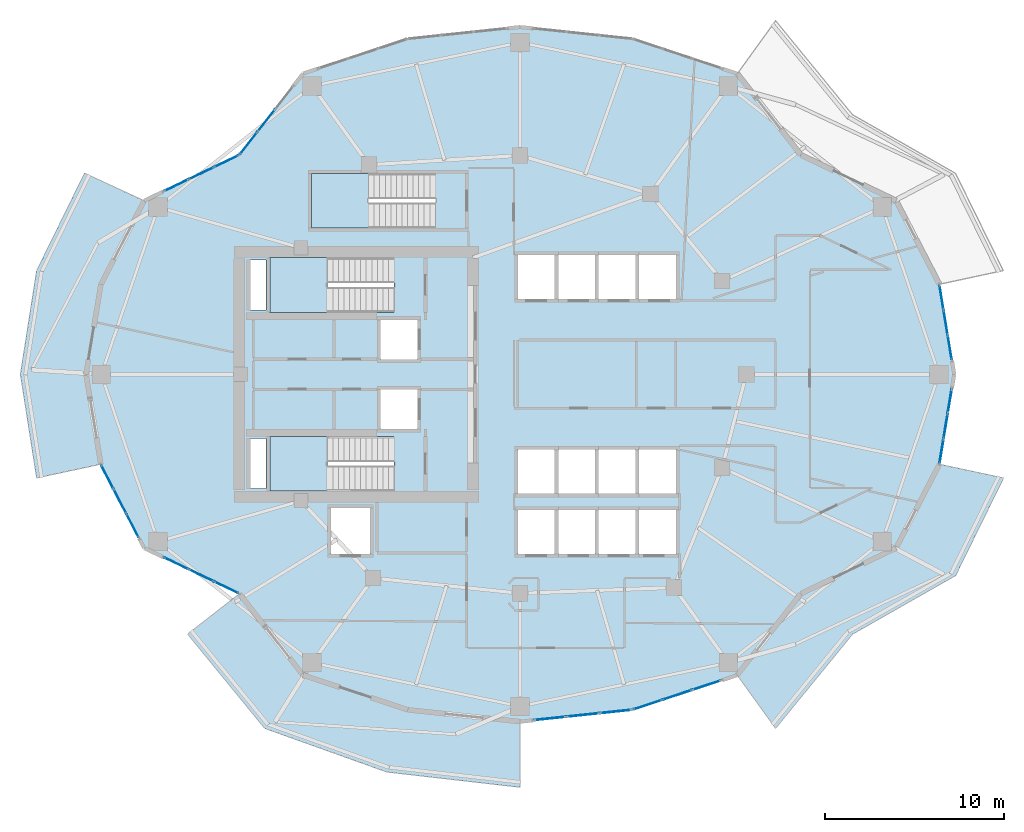
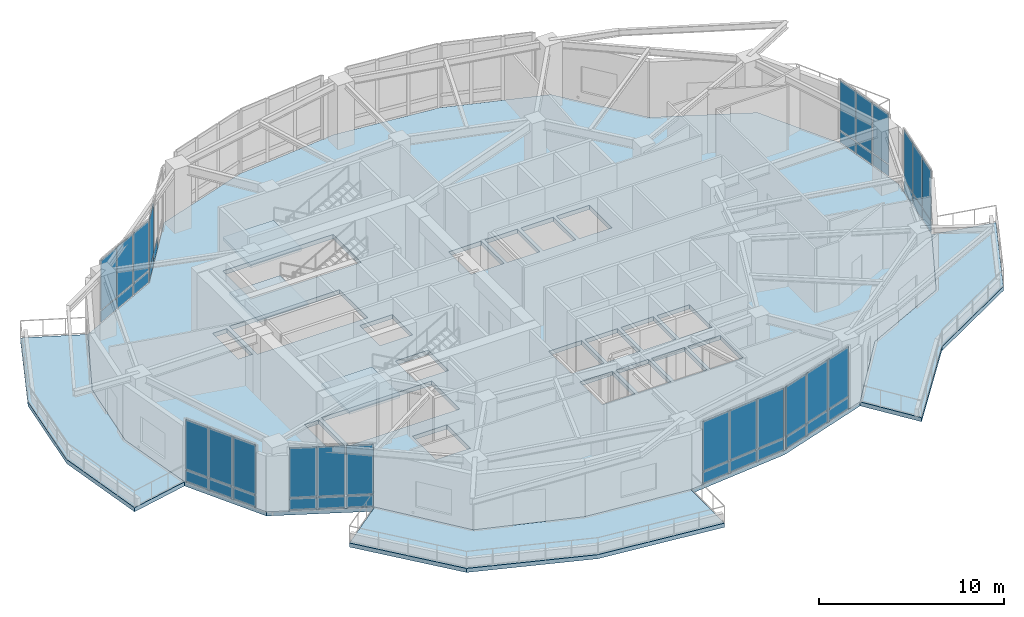
# One storey, part 8 of 16: 45 plates, 7 slabs, 11 elements without a shape of their own.
"""IFC4 building model written with IfcOpenShell, lengths in metres."""

from ifc_helpers import new_model, si_unit, direction, frame, origin, origin_2d, place, context, subcontext, project, spatial, polyline, rectangle, outline, extrude, material, layer, layer_set, type_object, element, aggregate, save


model = new_model("IFC4")

# Units and contexts
model_context = context("Model", 3, precision=1e-05, world=origin(), true_north=direction((0.0, 1.0)))
body_context = subcontext(model_context, "Body", "Model", "MODEL_VIEW")
ifc_project = project(units=[si_unit("LENGTHUNIT", "METRE"), si_unit("AREAUNIT", "SQUARE_METRE"), si_unit("VOLUMEUNIT", "CUBIC_METRE"), si_unit("PLANEANGLEUNIT", "RADIAN"), si_unit("MASSUNIT", "GRAM", prefix="KILO")], contexts=[model_context])

# Site, building, storey
site_placement = place(None, origin())
site = spatial("IfcSite", under=ifc_project, at=site_placement, CompositionType="ELEMENT")
building_placement = place(site_placement, origin())
building = spatial("IfcBuilding", under=site, at=building_placement, Name="Kolvaren Gate Tower and Convention Centre", CompositionType="ELEMENT")
storey_placement = place(building_placement, frame((0.0, 0.0, 100.800048828125)))
storey = spatial("IfcBuildingStorey", under=building, at=storey_placement, Name="L24", CompositionType="ELEMENT", Elevation=100.800048828125)

# Curtain wall, plate
ifc_material_1 = material(Name="Anodized Architectural Aluminium Alloy 6063-T6", Category="aluminium")
ifc_layer_1 = layer(ifc_material_1, 0.199951171875)
ifc_layer_set_1 = layer_set([ifc_layer_1], Name="Anodized Architectural Aluminium Alloy 6063-T6")
curtain_wall_type = type_object("IfcCurtainWallType", Name="CW-SKY-GLZ", PredefinedType="NOTDEFINED", material=ifc_layer_set_1)
curtain_wall_1_placement = place(storey_placement, origin())
curtain_wall_1 = element("IfcCurtainWall", 1, at=curtain_wall_1_placement, inside=storey, type_object=curtain_wall_type, Name="L24 Panoramic Structural Curtain Wall CW-08", PredefinedType="NOTDEFINED")
ifc_material_2 = material(Name="Low-E Triple Insulated Glazing Unit 44 mm", Category="glass")
ifc_layer_2 = layer(ifc_material_2, 0.0439453125)
ifc_layer_set_2 = layer_set([ifc_layer_2], Name="Low-E Triple Insulated Glazing Unit 44 mm")
plate_type_1 = type_object("IfcPlateType", Name="CW-PL-IGU-44", PredefinedType="CURTAIN_PANEL", material=ifc_layer_set_2)
plate_1_placement = place(storey_placement, frame((14.99462890625, 39.878662109375, 0.887451171875), z_axis=(0.0, 0.0, 1.0), x_axis=(0.616441330983, 0.787400841666, 0.0)))
plate_1 = element("IfcPlate", 2, at=plate_1_placement, type_object=plate_type_1, Name="CW-05 panel 1.2", PredefinedType="CURTAIN_PANEL", context=body_context, shape_type="SweptSolid", body=[
    extrude(rectangle(XDim=1.51513671875, YDim=0.0439453125, at=origin_2d()), origin(), (0.0, 0.0, 1.0), 3.267578125),
])

# Curtain wall, plates
curtain_wall_2_placement = place(storey_placement, origin())
curtain_wall_2 = element("IfcCurtainWall", 3, at=curtain_wall_2_placement, inside=storey, type_object=curtain_wall_type, Name="L24 Panoramic Structural Curtain Wall CW-09", PredefinedType="NOTDEFINED")
plate_2_placement = place(storey_placement, frame((10.9658203125, 37.533935546875, 0.887451171875), z_axis=(0.0, 0.0, 1.0), x_axis=(0.901359070966, 0.43307254033, 0.0)))
plate_2 = element("IfcPlate", 4, at=plate_2_placement, type_object=plate_type_1, Name="CW-05 panel 1.2", PredefinedType="CURTAIN_PANEL", context=body_context, shape_type="SweptSolid", body=[
    extrude(rectangle(XDim=1.455078125, YDim=0.0439453125, at=origin_2d()), origin(), (0.0, 0.0, 1.0), 3.267578125),
])
plate_3_placement = place(storey_placement, frame((12.36181640625, 38.20458984375, 0.887451171875), z_axis=(0.0, 0.0, 1.0), x_axis=(0.901359070966, 0.43307254033, 0.0)))
plate_3 = element("IfcPlate", 5, at=plate_3_placement, type_object=plate_type_1, Name="CW-05 panel 2.2", PredefinedType="CURTAIN_PANEL", context=body_context, shape_type="SweptSolid", body=[
    extrude(rectangle(XDim=1.49267578125, YDim=0.0439453125, at=origin_2d()), origin(), (0.0, 0.0, 1.0), 3.267578125),
])
plate_4_placement = place(storey_placement, frame((13.7578125, 38.87548828125, 0.887451171875), z_axis=(0.0, 0.0, 1.0), x_axis=(0.901359070966, 0.43307254033, 0.0)))
plate_4 = element("IfcPlate", 6, at=plate_4_placement, type_object=plate_type_1, Name="CW-05 panel 3.2", PredefinedType="CURTAIN_PANEL", context=body_context, shape_type="SweptSolid", body=[
    extrude(rectangle(XDim=1.455078125, YDim=0.0439453125, at=origin_2d()), origin(), (0.0, 0.0, 1.0), 3.267578125),
])

curtain_wall_3_placement = place(storey_placement, origin())
curtain_wall_3 = element("IfcCurtainWall", 7, at=curtain_wall_3_placement, inside=storey, type_object=curtain_wall_type, Name="L24 Panoramic Structural Curtain Wall CW-13", PredefinedType="NOTDEFINED")
plate_5_placement = place(storey_placement, frame((7.126953125, 21.286376953125, 0.887451171875), z_axis=(0.0, 0.0, 1.0), x_axis=(0.459777699035, -0.888034046346, 0.0)))
plate_5 = element("IfcPlate", 8, at=plate_5_placement, type_object=plate_type_1, Name="CW-05 panel 1.2", PredefinedType="CURTAIN_PANEL", context=body_context, shape_type="SweptSolid", body=[
    extrude(rectangle(XDim=1.438720703125, YDim=0.0439453125, at=origin_2d()), origin(), (0.0, 0.0, 1.0), 3.267578125),
])
plate_6_placement = place(storey_placement, frame((7.83154296875, 19.925537109375, 0.887451171875), z_axis=(0.0, 0.0, 1.0), x_axis=(0.459777699035, -0.888034046346, 0.0)))
plate_6 = element("IfcPlate", 9, at=plate_6_placement, type_object=plate_type_1, Name="CW-05 panel 2.2", PredefinedType="CURTAIN_PANEL", context=body_context, shape_type="SweptSolid", body=[
    extrude(rectangle(XDim=1.476318359375, YDim=0.0439453125, at=origin_2d()), origin(), (0.0, 0.0, 1.0), 3.267578125),
])
plate_7_placement = place(storey_placement, frame((8.5361328125, 18.564453125, 0.887451171875), z_axis=(0.0, 0.0, 1.0), x_axis=(0.459777699035, -0.888034046346, 0.0)))
plate_7 = element("IfcPlate", 10, at=plate_7_placement, type_object=plate_type_1, Name="CW-05 panel 3.2", PredefinedType="CURTAIN_PANEL", context=body_context, shape_type="SweptSolid", body=[
    extrude(rectangle(XDim=1.438720703125, YDim=0.0439453125, at=origin_2d()), origin(), (0.0, 0.0, 1.0), 3.267578125),
])

curtain_wall_4_placement = place(storey_placement, origin())
curtain_wall_4 = element("IfcCurtainWall", 11, at=curtain_wall_4_placement, inside=storey, type_object=curtain_wall_type, Name="L24 Panoramic Structural Curtain Wall CW-14", PredefinedType="NOTDEFINED")
plate_8_placement = place(storey_placement, frame((10.9658203125, 16.466064453125, 0.887451171875), z_axis=(0.0, 0.0, 1.0), x_axis=(0.901359070966, -0.43307254033, 0.0)))
plate_8 = element("IfcPlate", 12, at=plate_8_placement, type_object=plate_type_1, Name="CW-05 panel 1.2", PredefinedType="CURTAIN_PANEL", context=body_context, shape_type="SweptSolid", body=[
    extrude(rectangle(XDim=1.455078125, YDim=0.0439453125, at=origin_2d()), origin(), (0.0, 0.0, 1.0), 3.267578125),
])
plate_9_placement = place(storey_placement, frame((12.36181640625, 15.79541015625, 0.887451171875), z_axis=(0.0, 0.0, 1.0), x_axis=(0.901359070966, -0.43307254033, 0.0)))
plate_9 = element("IfcPlate", 13, at=plate_9_placement, type_object=plate_type_1, Name="CW-05 panel 2.2", PredefinedType="CURTAIN_PANEL", context=body_context, shape_type="SweptSolid", body=[
    extrude(rectangle(XDim=1.49267578125, YDim=0.0439453125, at=origin_2d()), origin(), (0.0, 0.0, 1.0), 3.267578125),
])
plate_10_placement = place(storey_placement, frame((13.7578125, 15.12451171875, 0.887451171875), z_axis=(0.0, 0.0, 1.0), x_axis=(0.901359070966, -0.43307254033, 0.0)))
plate_10 = element("IfcPlate", 14, at=plate_10_placement, type_object=plate_type_1, Name="CW-05 panel 3.2", PredefinedType="CURTAIN_PANEL", context=body_context, shape_type="SweptSolid", body=[
    extrude(rectangle(XDim=1.455078125, YDim=0.0439453125, at=origin_2d()), origin(), (0.0, 0.0, 1.0), 3.267578125),
])

curtain_wall_5_placement = place(storey_placement, origin())
curtain_wall_5 = element("IfcCurtainWall", 15, at=curtain_wall_5_placement, inside=storey, type_object=curtain_wall_type, Name="L24 Panoramic Structural Curtain Wall CW-18", PredefinedType="NOTDEFINED")
plate_11_placement = place(storey_placement, frame((31.791259765625, 7.825439453125, 0.887451171875), z_axis=(0.0, 0.0, 1.0), x_axis=(0.994500824871, 0.104728741662, 0.0)))
plate_11 = element("IfcPlate", 16, at=plate_11_placement, type_object=plate_type_1, Name="CW-05 panel 1.2", PredefinedType="CURTAIN_PANEL", context=body_context, shape_type="SweptSolid", body=[
    extrude(rectangle(XDim=1.74267578125, YDim=0.0439453125, at=origin_2d()), origin(), (0.0, 0.0, 1.0), 3.267578125),
])
plate_12_placement = place(storey_placement, frame((33.61767578125, 8.017822265625, 0.887451171875), z_axis=(0.0, 0.0, 1.0), x_axis=(0.994500824871, 0.104728741662, 0.0)))
plate_12 = element("IfcPlate", 17, at=plate_12_placement, type_object=plate_type_1, Name="CW-05 panel 2.2", PredefinedType="CURTAIN_PANEL", context=body_context, shape_type="SweptSolid", body=[
    extrude(rectangle(XDim=1.7802734375, YDim=0.0439453125, at=origin_2d()), origin(), (0.0, 0.0, 1.0), 3.267578125),
])
plate_13_placement = place(storey_placement, frame((35.444091796875, 8.210205078125, 0.887451171875), z_axis=(0.0, 0.0, 1.0), x_axis=(0.994500824871, 0.104728741662, 0.0)))
plate_13 = element("IfcPlate", 18, at=plate_13_placement, type_object=plate_type_1, Name="CW-05 panel 3.2", PredefinedType="CURTAIN_PANEL", context=body_context, shape_type="SweptSolid", body=[
    extrude(rectangle(XDim=1.74267578125, YDim=0.0439453125, at=origin_2d()), origin(), (0.0, 0.0, 1.0), 3.267578125),
])

curtain_wall_6_placement = place(storey_placement, origin())
curtain_wall_6 = element("IfcCurtainWall", 19, at=curtain_wall_6_placement, inside=storey, type_object=curtain_wall_type, Name="L24 Panoramic Structural Curtain Wall CW-19", PredefinedType="NOTDEFINED")
plate_14_placement = place(storey_placement, frame((37.233642578125, 8.59033203125, 0.887451171875), z_axis=(0.0, 0.0, 1.0), x_axis=(0.949239916922, 0.314552984603, 0.0)))
plate_14 = element("IfcPlate", 20, at=plate_14_placement, type_object=plate_type_1, Name="CW-05 panel 1.2", PredefinedType="CURTAIN_PANEL", context=body_context, shape_type="SweptSolid", body=[
    extrude(rectangle(XDim=1.637451171875, YDim=0.0439453125, at=origin_2d()), origin(), (0.0, 0.0, 1.0), 3.267578125),
])
plate_15_placement = place(storey_placement, frame((38.876953125, 9.135009765625, 0.887451171875), z_axis=(0.0, 0.0, 1.0), x_axis=(0.949239916922, 0.314552984603, 0.0)))
plate_15 = element("IfcPlate", 21, at=plate_15_placement, type_object=plate_type_1, Name="CW-05 panel 2.2", PredefinedType="CURTAIN_PANEL", context=body_context, shape_type="SweptSolid", body=[
    extrude(rectangle(XDim=1.675048828125, YDim=0.0439453125, at=origin_2d()), origin(), (0.0, 0.0, 1.0), 3.267578125),
])
plate_16_placement = place(storey_placement, frame((40.520263671875, 9.6796875, 0.887451171875), z_axis=(0.0, 0.0, 1.0), x_axis=(0.949239916922, 0.314552984603, 0.0)))
plate_16 = element("IfcPlate", 22, at=plate_16_placement, type_object=plate_type_1, Name="CW-05 panel 3.2", PredefinedType="CURTAIN_PANEL", context=body_context, shape_type="SweptSolid", body=[
    extrude(rectangle(XDim=1.637451171875, YDim=0.0439453125, at=origin_2d()), origin(), (0.0, 0.0, 1.0), 3.267578125),
])

curtain_wall_7_placement = place(storey_placement, origin())
curtain_wall_7 = element("IfcCurtainWall", 23, at=curtain_wall_7_placement, inside=storey, type_object=curtain_wall_type, Name="L24 Panoramic Structural Curtain Wall CW-23", PredefinedType="NOTDEFINED")
plate_17_placement = place(storey_placement, frame((53.607666015625, 22.717041015625, 0.887451171875), z_axis=(0.0, 0.0, 1.0), x_axis=(0.162390977876, 0.986726492147, 0.0)))
plate_17 = element("IfcPlate", 24, at=plate_17_placement, type_object=plate_type_1, Name="CW-05 panel 1.2", PredefinedType="CURTAIN_PANEL", context=body_context, shape_type="SweptSolid", body=[
    extrude(rectangle(XDim=1.31982421875, YDim=0.0439453125, at=origin_2d()), origin(), (0.0, 0.0, 1.0), 3.267578125),
])
plate_18_placement = place(storey_placement, frame((53.837158203125, 24.11181640625, 0.887451171875), z_axis=(0.0, 0.0, 1.0), x_axis=(0.162390977876, 0.986726492147, 0.0)))
plate_18 = element("IfcPlate", 25, at=plate_18_placement, type_object=plate_type_1, Name="CW-05 panel 2.2", PredefinedType="CURTAIN_PANEL", context=body_context, shape_type="SweptSolid", body=[
    extrude(rectangle(XDim=1.357421875, YDim=0.0439453125, at=origin_2d()), origin(), (0.0, 0.0, 1.0), 3.267578125),
])
plate_19_placement = place(storey_placement, frame((54.066650390625, 25.5068359375, 0.887451171875), z_axis=(0.0, 0.0, 1.0), x_axis=(0.162390977876, 0.986726492147, 0.0)))
plate_19 = element("IfcPlate", 26, at=plate_19_placement, type_object=plate_type_1, Name="CW-05 panel 3.2", PredefinedType="CURTAIN_PANEL", context=body_context, shape_type="SweptSolid", body=[
    extrude(rectangle(XDim=1.31982421875, YDim=0.0439453125, at=origin_2d()), origin(), (0.0, 0.0, 1.0), 3.267578125),
])

curtain_wall_8_placement = place(storey_placement, origin())
curtain_wall_8 = element("IfcCurtainWall", 27, at=curtain_wall_8_placement, inside=storey, type_object=curtain_wall_type, Name="L24 Panoramic Structural Curtain Wall CW-00", PredefinedType="NOTDEFINED")
ifc_material_3 = material(Name="Solar-Control Laminated Curtain Glazing 36 mm", Category="glass")
ifc_layer_3 = layer(ifc_material_3, 0.035888671875)
ifc_layer_set_3 = layer_set([ifc_layer_3], Name="Solar-Control Laminated Curtain Glazing 36 mm")
plate_type_2 = type_object("IfcPlateType", Name="CW-PL-SPAN-36", PredefinedType="CURTAIN_PANEL", material=ifc_layer_set_3)
plate_20_placement = place(storey_placement, frame((53.607666015625, 31.282958984375, 0.07470703125), z_axis=(0.0, 0.0, 1.0), x_axis=(0.162390977876, -0.986726492147, 0.0)))
plate_20 = element("IfcPlate", 28, at=plate_20_placement, type_object=plate_type_2, Name="CW-05 panel 1.1", PredefinedType="CURTAIN_PANEL", context=body_context, shape_type="SweptSolid", body=[
    extrude(rectangle(XDim=1.31982421875, YDim=0.035888671875, at=origin_2d()), origin(), (0.0, 0.0, 1.0), 0.737548828125),
])
plate_21_placement = place(storey_placement, frame((53.607666015625, 31.282958984375, 0.887451171875), z_axis=(0.0, 0.0, 1.0), x_axis=(0.162390977876, -0.986726492147, 0.0)))
plate_21 = element("IfcPlate", 29, at=plate_21_placement, type_object=plate_type_2, Name="CW-05 panel 1.2", PredefinedType="CURTAIN_PANEL", context=body_context, shape_type="SweptSolid", body=[
    extrude(rectangle(XDim=1.31982421875, YDim=0.035888671875, at=origin_2d()), origin(), (0.0, 0.0, 1.0), 3.267578125),
])
plate_22_placement = place(storey_placement, frame((53.837158203125, 29.88818359375, 0.07470703125), z_axis=(0.0, 0.0, 1.0), x_axis=(0.162390977876, -0.986726492147, 0.0)))
plate_22 = element("IfcPlate", 30, at=plate_22_placement, type_object=plate_type_2, Name="CW-05 panel 2.1", PredefinedType="CURTAIN_PANEL", context=body_context, shape_type="SweptSolid", body=[
    extrude(rectangle(XDim=1.357421875, YDim=0.035888671875, at=origin_2d()), origin(), (0.0, 0.0, 1.0), 0.737548828125),
])
plate_23_placement = place(storey_placement, frame((53.837158203125, 29.88818359375, 0.887451171875), z_axis=(0.0, 0.0, 1.0), x_axis=(0.162390977876, -0.986726492147, 0.0)))
plate_23 = element("IfcPlate", 31, at=plate_23_placement, type_object=plate_type_2, Name="CW-05 panel 2.2", PredefinedType="CURTAIN_PANEL", context=body_context, shape_type="SweptSolid", body=[
    extrude(rectangle(XDim=1.357421875, YDim=0.035888671875, at=origin_2d()), origin(), (0.0, 0.0, 1.0), 3.267578125),
])
plate_24_placement = place(storey_placement, frame((54.066650390625, 28.4931640625, 0.07470703125), z_axis=(0.0, 0.0, 1.0), x_axis=(0.162390977876, -0.986726492147, 0.0)))
plate_24 = element("IfcPlate", 32, at=plate_24_placement, type_object=plate_type_2, Name="CW-05 panel 3.1", PredefinedType="CURTAIN_PANEL", context=body_context, shape_type="SweptSolid", body=[
    extrude(rectangle(XDim=1.31982421875, YDim=0.035888671875, at=origin_2d()), origin(), (0.0, 0.0, 1.0), 0.737548828125),
])
plate_25_placement = place(storey_placement, frame((54.066650390625, 28.4931640625, 0.887451171875), z_axis=(0.0, 0.0, 1.0), x_axis=(0.162390977876, -0.986726492147, 0.0)))
plate_25 = element("IfcPlate", 33, at=plate_25_placement, type_object=plate_type_2, Name="CW-05 panel 3.2", PredefinedType="CURTAIN_PANEL", context=body_context, shape_type="SweptSolid", body=[
    extrude(rectangle(XDim=1.31982421875, YDim=0.035888671875, at=origin_2d()), origin(), (0.0, 0.0, 1.0), 3.267578125),
])
aggregate(curtain_wall_8, [plate_20, plate_21, plate_22, plate_23, plate_24, plate_25])

# Plate
plate_26_placement = place(storey_placement, frame((14.99462890625, 39.878662109375, 0.07470703125), z_axis=(0.0, 0.0, 1.0), x_axis=(0.616441330983, 0.787400841666, 0.0)))
plate_26 = element("IfcPlate", 34, at=plate_26_placement, type_object=plate_type_2, Name="CW-05 panel 1.1", PredefinedType="CURTAIN_PANEL", context=body_context, shape_type="SweptSolid", body=[
    extrude(rectangle(XDim=1.51513671875, YDim=0.035888671875, at=origin_2d()), origin(), (0.0, 0.0, 1.0), 0.737548828125),
])

plate_27_placement = place(storey_placement, frame((15.986328125, 41.1455078125, 0.07470703125), z_axis=(0.0, 0.0, 1.0), x_axis=(0.616441330983, 0.787400841666, 0.0)))
plate_27 = element("IfcPlate", 35, at=plate_27_placement, type_object=plate_type_2, Name="CW-05 panel 2.1", PredefinedType="CURTAIN_PANEL", context=body_context, shape_type="SweptSolid", body=[
    extrude(rectangle(XDim=1.552734375, YDim=0.035888671875, at=origin_2d()), origin(), (0.0, 0.0, 1.0), 0.737548828125),
])

aggregate(curtain_wall_1, [plate_26, plate_1, plate_27])

plate_28_placement = place(storey_placement, frame((10.9658203125, 37.533935546875, 0.07470703125), z_axis=(0.0, 0.0, 1.0), x_axis=(0.901359070966, 0.43307254033, 0.0)))
plate_28 = element("IfcPlate", 36, at=plate_28_placement, type_object=plate_type_2, Name="CW-05 panel 1.1", PredefinedType="CURTAIN_PANEL", context=body_context, shape_type="SweptSolid", body=[
    extrude(rectangle(XDim=1.455078125, YDim=0.035888671875, at=origin_2d()), origin(), (0.0, 0.0, 1.0), 0.737548828125),
])

plate_29_placement = place(storey_placement, frame((12.36181640625, 38.20458984375, 0.07470703125), z_axis=(0.0, 0.0, 1.0), x_axis=(0.901359070966, 0.43307254033, 0.0)))
plate_29 = element("IfcPlate", 37, at=plate_29_placement, type_object=plate_type_2, Name="CW-05 panel 2.1", PredefinedType="CURTAIN_PANEL", context=body_context, shape_type="SweptSolid", body=[
    extrude(rectangle(XDim=1.49267578125, YDim=0.035888671875, at=origin_2d()), origin(), (0.0, 0.0, 1.0), 0.737548828125),
])

plate_30_placement = place(storey_placement, frame((13.7578125, 38.87548828125, 0.07470703125), z_axis=(0.0, 0.0, 1.0), x_axis=(0.901359070966, 0.43307254033, 0.0)))
plate_30 = element("IfcPlate", 38, at=plate_30_placement, type_object=plate_type_2, Name="CW-05 panel 3.1", PredefinedType="CURTAIN_PANEL", context=body_context, shape_type="SweptSolid", body=[
    extrude(rectangle(XDim=1.455078125, YDim=0.035888671875, at=origin_2d()), origin(), (0.0, 0.0, 1.0), 0.737548828125),
])

aggregate(curtain_wall_2, [plate_28, plate_2, plate_29, plate_3, plate_30, plate_4])

plate_31_placement = place(storey_placement, frame((7.126953125, 21.286376953125, 0.07470703125), z_axis=(0.0, 0.0, 1.0), x_axis=(0.459777699035, -0.888034046346, 0.0)))
plate_31 = element("IfcPlate", 39, at=plate_31_placement, type_object=plate_type_2, Name="CW-05 panel 1.1", PredefinedType="CURTAIN_PANEL", context=body_context, shape_type="SweptSolid", body=[
    extrude(rectangle(XDim=1.438720703125, YDim=0.035888671875, at=origin_2d()), origin(), (0.0, 0.0, 1.0), 0.737548828125),
])

plate_32_placement = place(storey_placement, frame((7.83154296875, 19.925537109375, 0.07470703125), z_axis=(0.0, 0.0, 1.0), x_axis=(0.459777699035, -0.888034046346, 0.0)))
plate_32 = element("IfcPlate", 40, at=plate_32_placement, type_object=plate_type_2, Name="CW-05 panel 2.1", PredefinedType="CURTAIN_PANEL", context=body_context, shape_type="SweptSolid", body=[
    extrude(rectangle(XDim=1.476318359375, YDim=0.035888671875, at=origin_2d()), origin(), (0.0, 0.0, 1.0), 0.737548828125),
])

plate_33_placement = place(storey_placement, frame((8.5361328125, 18.564453125, 0.07470703125), z_axis=(0.0, 0.0, 1.0), x_axis=(0.459777699035, -0.888034046346, 0.0)))
plate_33 = element("IfcPlate", 41, at=plate_33_placement, type_object=plate_type_2, Name="CW-05 panel 3.1", PredefinedType="CURTAIN_PANEL", context=body_context, shape_type="SweptSolid", body=[
    extrude(rectangle(XDim=1.438720703125, YDim=0.035888671875, at=origin_2d()), origin(), (0.0, 0.0, 1.0), 0.737548828125),
])

aggregate(curtain_wall_3, [plate_31, plate_5, plate_32, plate_6, plate_33, plate_7])

plate_34_placement = place(storey_placement, frame((10.9658203125, 16.466064453125, 0.07470703125), z_axis=(0.0, 0.0, 1.0), x_axis=(0.901359070966, -0.43307254033, 0.0)))
plate_34 = element("IfcPlate", 42, at=plate_34_placement, type_object=plate_type_2, Name="CW-05 panel 1.1", PredefinedType="CURTAIN_PANEL", context=body_context, shape_type="SweptSolid", body=[
    extrude(rectangle(XDim=1.455078125, YDim=0.035888671875, at=origin_2d()), origin(), (0.0, 0.0, 1.0), 0.737548828125),
])

plate_35_placement = place(storey_placement, frame((12.36181640625, 15.79541015625, 0.07470703125), z_axis=(0.0, 0.0, 1.0), x_axis=(0.901359070966, -0.43307254033, 0.0)))
plate_35 = element("IfcPlate", 43, at=plate_35_placement, type_object=plate_type_2, Name="CW-05 panel 2.1", PredefinedType="CURTAIN_PANEL", context=body_context, shape_type="SweptSolid", body=[
    extrude(rectangle(XDim=1.49267578125, YDim=0.035888671875, at=origin_2d()), origin(), (0.0, 0.0, 1.0), 0.737548828125),
])

plate_36_placement = place(storey_placement, frame((13.7578125, 15.12451171875, 0.07470703125), z_axis=(0.0, 0.0, 1.0), x_axis=(0.901359070966, -0.43307254033, 0.0)))
plate_36 = element("IfcPlate", 44, at=plate_36_placement, type_object=plate_type_2, Name="CW-05 panel 3.1", PredefinedType="CURTAIN_PANEL", context=body_context, shape_type="SweptSolid", body=[
    extrude(rectangle(XDim=1.455078125, YDim=0.035888671875, at=origin_2d()), origin(), (0.0, 0.0, 1.0), 0.737548828125),
])

aggregate(curtain_wall_4, [plate_34, plate_8, plate_35, plate_9, plate_36, plate_10])

plate_37_placement = place(storey_placement, frame((31.791259765625, 7.825439453125, 0.07470703125), z_axis=(0.0, 0.0, 1.0), x_axis=(0.994500824871, 0.104728741662, 0.0)))
plate_37 = element("IfcPlate", 45, at=plate_37_placement, type_object=plate_type_2, Name="CW-05 panel 1.1", PredefinedType="CURTAIN_PANEL", context=body_context, shape_type="SweptSolid", body=[
    extrude(rectangle(XDim=1.74267578125, YDim=0.035888671875, at=origin_2d()), origin(), (0.0, 0.0, 1.0), 0.737548828125),
])

plate_38_placement = place(storey_placement, frame((33.61767578125, 8.017822265625, 0.07470703125), z_axis=(0.0, 0.0, 1.0), x_axis=(0.994500824871, 0.104728741662, 0.0)))
plate_38 = element("IfcPlate", 46, at=plate_38_placement, type_object=plate_type_2, Name="CW-05 panel 2.1", PredefinedType="CURTAIN_PANEL", context=body_context, shape_type="SweptSolid", body=[
    extrude(rectangle(XDim=1.7802734375, YDim=0.035888671875, at=origin_2d()), origin(), (0.0, 0.0, 1.0), 0.737548828125),
])

plate_39_placement = place(storey_placement, frame((35.444091796875, 8.210205078125, 0.07470703125), z_axis=(0.0, 0.0, 1.0), x_axis=(0.994500824871, 0.104728741662, 0.0)))
plate_39 = element("IfcPlate", 47, at=plate_39_placement, type_object=plate_type_2, Name="CW-05 panel 3.1", PredefinedType="CURTAIN_PANEL", context=body_context, shape_type="SweptSolid", body=[
    extrude(rectangle(XDim=1.74267578125, YDim=0.035888671875, at=origin_2d()), origin(), (0.0, 0.0, 1.0), 0.737548828125),
])

aggregate(curtain_wall_5, [plate_37, plate_11, plate_38, plate_12, plate_39, plate_13])

plate_40_placement = place(storey_placement, frame((37.233642578125, 8.59033203125, 0.07470703125), z_axis=(0.0, 0.0, 1.0), x_axis=(0.949239916922, 0.314552984603, 0.0)))
plate_40 = element("IfcPlate", 48, at=plate_40_placement, type_object=plate_type_2, Name="CW-05 panel 1.1", PredefinedType="CURTAIN_PANEL", context=body_context, shape_type="SweptSolid", body=[
    extrude(rectangle(XDim=1.637451171875, YDim=0.035888671875, at=origin_2d()), origin(), (0.0, 0.0, 1.0), 0.737548828125),
])

plate_41_placement = place(storey_placement, frame((38.876953125, 9.135009765625, 0.07470703125), z_axis=(0.0, 0.0, 1.0), x_axis=(0.949239916922, 0.314552984603, 0.0)))
plate_41 = element("IfcPlate", 49, at=plate_41_placement, type_object=plate_type_2, Name="CW-05 panel 2.1", PredefinedType="CURTAIN_PANEL", context=body_context, shape_type="SweptSolid", body=[
    extrude(rectangle(XDim=1.675048828125, YDim=0.035888671875, at=origin_2d()), origin(), (0.0, 0.0, 1.0), 0.737548828125),
])

plate_42_placement = place(storey_placement, frame((40.520263671875, 9.6796875, 0.07470703125), z_axis=(0.0, 0.0, 1.0), x_axis=(0.949239916922, 0.314552984603, 0.0)))
plate_42 = element("IfcPlate", 50, at=plate_42_placement, type_object=plate_type_2, Name="CW-05 panel 3.1", PredefinedType="CURTAIN_PANEL", context=body_context, shape_type="SweptSolid", body=[
    extrude(rectangle(XDim=1.637451171875, YDim=0.035888671875, at=origin_2d()), origin(), (0.0, 0.0, 1.0), 0.737548828125),
])

aggregate(curtain_wall_6, [plate_40, plate_14, plate_41, plate_15, plate_42, plate_16])

plate_43_placement = place(storey_placement, frame((53.607666015625, 22.717041015625, 0.07470703125), z_axis=(0.0, 0.0, 1.0), x_axis=(0.162390977876, 0.986726492147, 0.0)))
plate_43 = element("IfcPlate", 51, at=plate_43_placement, type_object=plate_type_2, Name="CW-05 panel 1.1", PredefinedType="CURTAIN_PANEL", context=body_context, shape_type="SweptSolid", body=[
    extrude(rectangle(XDim=1.31982421875, YDim=0.035888671875, at=origin_2d()), origin(), (0.0, 0.0, 1.0), 0.737548828125),
])

plate_44_placement = place(storey_placement, frame((53.837158203125, 24.11181640625, 0.07470703125), z_axis=(0.0, 0.0, 1.0), x_axis=(0.162390977876, 0.986726492147, 0.0)))
plate_44 = element("IfcPlate", 52, at=plate_44_placement, type_object=plate_type_2, Name="CW-05 panel 2.1", PredefinedType="CURTAIN_PANEL", context=body_context, shape_type="SweptSolid", body=[
    extrude(rectangle(XDim=1.357421875, YDim=0.035888671875, at=origin_2d()), origin(), (0.0, 0.0, 1.0), 0.737548828125),
])

plate_45_placement = place(storey_placement, frame((54.066650390625, 25.5068359375, 0.07470703125), z_axis=(0.0, 0.0, 1.0), x_axis=(0.162390977876, 0.986726492147, 0.0)))
plate_45 = element("IfcPlate", 53, at=plate_45_placement, type_object=plate_type_2, Name="CW-05 panel 3.1", PredefinedType="CURTAIN_PANEL", context=body_context, shape_type="SweptSolid", body=[
    extrude(rectangle(XDim=1.31982421875, YDim=0.035888671875, at=origin_2d()), origin(), (0.0, 0.0, 1.0), 0.737548828125),
])

aggregate(curtain_wall_7, [plate_43, plate_17, plate_44, plate_18, plate_45, plate_19])

# Slabs
ifc_material_4 = material(Name="Concrete C50/60", Category="concrete")
ifc_layer_4 = layer(ifc_material_4, 0.27001953125)
ifc_layer_set_4 = layer_set([ifc_layer_4], Name="Concrete C50/60")
slab_type_1 = type_object("IfcSlabType", Name="STR-SL-BALC-270", PredefinedType="FLOOR", material=ifc_layer_set_4)
slab_1_placement = place(storey_placement, frame((0.0, 0.0, -0.27001953125)))
element("IfcSlab", 54, at=slab_1_placement, inside=storey, type_object=slab_type_1, Name="Tower L24 Planted Balcony Terrace Slab 2 (West)", PredefinedType="FLOOR", context=body_context, shape_type="SweptSolid", body=[
    extrude(outline(polyline([(9.177978515625, 36.675048828125), (6.76171875, 32.008056640625), (5.9375, 27.0), (6.76171875, 21.991943359375), (3.18310546875, 21.224853515625), (2.277587890625, 27.0), (3.18310546875, 32.775146484375), (5.855224609375, 38.209716796875), (9.177978515625, 36.675048828125)])), origin(), (0.0, 0.0, 1.0), 0.27001953125),
])
slab_2_placement = place(storey_placement, frame((0.0, 0.0, -0.27001953125)))
element("IfcSlab", 55, at=slab_2_placement, inside=storey, type_object=slab_type_1, Name="Tower L24 Planted Balcony Terrace Slab 3 (South)", PredefinedType="FLOOR", context=body_context, shape_type="SweptSolid", body=[
    extrude(outline(polyline([(14.481201171875, 14.777099609375), (18.03125, 10.242431640625), (23.86474609375, 8.309326171875), (30.125, 7.64990234375), (30.125, 3.989990234375), (22.702392578125, 4.8388671875), (15.889404296875, 7.274658203125), (11.597412109375, 12.523681640625), (14.481201171875, 14.777099609375)])), origin(), (0.0, 0.0, 1.0), 0.27001953125),
])
slab_3_placement = place(storey_placement, frame((0.0, 0.0, -0.27001953125)))
element("IfcSlab", 56, at=slab_3_placement, inside=storey, type_object=slab_type_1, Name="Tower L24 Planted Balcony Terrace Slab 4 (East)", PredefinedType="FLOOR", context=body_context, shape_type="SweptSolid", body=[
    extrude(outline(polyline([(42.21875, 10.242431640625), (45.768798828125, 14.777099609375), (51.072021484375, 17.324951171875), (53.48828125, 21.991943359375), (57.06689453125, 21.224853515625), (54.394775390625, 15.790283203125), (48.652587890625, 12.523681640625), (44.360595703125, 7.274658203125), (42.21875, 10.242431640625)])), origin(), (0.0, 0.0, 1.0), 0.27001953125),
])
ifc_layer_5 = layer(ifc_material_4, 0.280029296875)
ifc_layer_set_5 = layer_set([ifc_layer_5], Name="Concrete C50/60")
slab_type_2 = type_object("IfcSlabType", Name="STR-SL-FLR-280", PredefinedType="FLOOR", material=ifc_layer_set_5)
slab_4_placement = place(storey_placement, frame((0.0, 0.0, -0.280029296875)))
element("IfcSlab", 57, at=slab_4_placement, inside=storey, type_object=slab_type_2, Name="Tower L24 Structural Floor Slab", PredefinedType="FLOOR", context=body_context, shape_type="SweptSolid", body=[
    extrude(outline(polyline([(54.3125, 27.0), (53.48828125, 32.008056640625), (51.072021484375, 36.675048828125), (45.768798828125, 39.222900390625), (42.21875, 43.757568359375), (36.38525390625, 45.690673828125), (30.125, 46.35009765625), (23.86474609375, 45.690673828125), (18.03125, 43.757568359375), (14.481201171875, 39.222900390625), (9.177978515625, 36.675048828125), (6.76171875, 32.008056640625), (5.9375, 27.0), (6.76171875, 21.991943359375), (9.177978515625, 17.324951171875), (14.481201171875, 14.777099609375), (18.03125, 10.242431640625), (23.86474609375, 8.309326171875), (30.125, 7.64990234375), (36.38525390625, 8.309326171875), (42.21875, 10.242431640625), (45.768798828125, 14.777099609375), (51.072021484375, 17.324951171875), (53.48828125, 21.991943359375), (54.3125, 27.0)]), holes=[polyline([(36.75, 33.64990234375), (38.800048828125, 33.64990234375), (38.800048828125, 31.199951171875), (36.75, 31.199951171875), (36.75, 33.64990234375)]), polyline([(36.75, 20.35009765625), (36.75, 22.800048828125), (38.800048828125, 22.800048828125), (38.800048828125, 20.35009765625), (36.75, 20.35009765625)]), polyline([(36.75, 17.0), (36.75, 19.449951171875), (38.800048828125, 19.449951171875), (38.800048828125, 17.0), (36.75, 17.0)]), polyline([(34.5, 33.64990234375), (36.550048828125, 33.64990234375), (36.550048828125, 31.199951171875), (34.5, 31.199951171875), (34.5, 33.64990234375)]), polyline([(34.5, 22.800048828125), (36.550048828125, 22.800048828125), (36.550048828125, 20.35009765625), (34.5, 20.35009765625), (34.5, 22.800048828125)]), polyline([(34.5, 17.0), (34.5, 19.449951171875), (36.550048828125, 19.449951171875), (36.550048828125, 17.0), (34.5, 17.0)]), polyline([(32.25, 31.199951171875), (32.25, 33.64990234375), (34.300048828125, 33.64990234375), (34.300048828125, 31.199951171875), (32.25, 31.199951171875)]), polyline([(32.25, 22.800048828125), (34.300048828125, 22.800048828125), (34.300048828125, 20.35009765625), (32.25, 20.35009765625), (32.25, 22.800048828125)]), polyline([(32.25, 17.0), (32.25, 19.449951171875), (34.300048828125, 19.449951171875), (34.300048828125, 17.0), (32.25, 17.0)]), polyline([(30.0, 31.199951171875), (30.0, 33.64990234375), (32.050048828125, 33.64990234375), (32.050048828125, 31.199951171875), (30.0, 31.199951171875)]), polyline([(30.0, 20.35009765625), (30.0, 22.800048828125), (32.050048828125, 22.800048828125), (32.050048828125, 20.35009765625), (30.0, 20.35009765625)]), polyline([(30.0, 17.0), (30.0, 19.449951171875), (32.050048828125, 19.449951171875), (32.050048828125, 17.0), (30.0, 17.0)]), polyline([(25.39990234375, 35.159912109375), (18.5, 35.159912109375), (18.5, 38.199951171875), (25.39990234375, 38.199951171875), (25.39990234375, 35.159912109375)]), polyline([(22.35009765625, 27.840087890625), (22.35009765625, 30.0400390625), (24.39990234375, 30.0400390625), (24.39990234375, 27.840087890625), (22.35009765625, 27.840087890625)]), polyline([(22.35009765625, 23.9599609375), (22.35009765625, 26.159912109375), (24.39990234375, 26.159912109375), (24.39990234375, 23.9599609375), (22.35009765625, 23.9599609375)]), polyline([(23.10009765625, 30.4599609375), (16.199951171875, 30.4599609375), (16.199951171875, 33.5), (23.10009765625, 33.5), (23.10009765625, 30.4599609375)]), polyline([(23.10009765625, 20.5), (16.199951171875, 20.5), (16.199951171875, 23.5400390625), (23.10009765625, 23.5400390625), (23.10009765625, 20.5)]), polyline([(19.60009765625, 17.0), (19.60009765625, 19.550048828125), (21.75, 19.550048828125), (21.75, 17.0), (19.60009765625, 17.0)]), polyline([(15.080078125, 23.419921875), (15.969970703125, 23.419921875), (15.969970703125, 20.6298828125), (15.080078125, 20.6298828125), (15.080078125, 23.419921875)]), polyline([(15.080078125, 30.580078125), (15.080078125, 33.3701171875), (15.969970703125, 33.3701171875), (15.969970703125, 30.580078125), (15.080078125, 30.580078125)])]), origin(), (0.0, 0.0, 1.0), 0.280029296875),
])

# Stair, slab
stair_type = type_object("IfcStairType", Name="STR-STAIR-CORE", PredefinedType="HALF_TURN_STAIR", material=ifc_material_4)
stair_1_placement = place(storey_placement, origin())
stair_1 = element("IfcStair", 58, at=stair_1_placement, inside=storey, type_object=stair_type, Name="L24 Tower North Exit Stair ST-T1", PredefinedType="HALF_TURN_STAIR")
ifc_layer_6 = layer(ifc_material_4, 0.199951171875)
ifc_layer_set_6 = layer_set([ifc_layer_6], Name="Concrete C50/60")
slab_type_3 = type_object("IfcSlabType", Name="STR-SL-LAND-200", PredefinedType="LANDING", material=ifc_layer_set_6)
slab_5_placement = place(storey_placement, frame((0.0, 0.0, 2.050048828125)))
slab_5 = element("IfcSlab", 59, at=slab_5_placement, type_object=slab_type_3, Name="ST-T1 landing 1", PredefinedType="LANDING", context=body_context, shape_type="SweptSolid", body=[
    extrude(outline(polyline([(19.3798828125, 33.5), (16.199951171875, 33.5), (16.199951171875, 30.4599609375), (19.3798828125, 30.4599609375), (19.3798828125, 33.5)])), origin(), (0.0, 0.0, 1.0), 0.199951171875),
])
aggregate(stair_1, [slab_5])

stair_2_placement = place(storey_placement, origin())
stair_2 = element("IfcStair", 60, at=stair_2_placement, inside=storey, type_object=stair_type, Name="L24 Tower South Exit Stair ST-T2", PredefinedType="HALF_TURN_STAIR")
slab_6_placement = place(storey_placement, frame((0.0, 0.0, 2.050048828125)))
slab_6 = element("IfcSlab", 61, at=slab_6_placement, type_object=slab_type_3, Name="ST-T2 landing 1", PredefinedType="LANDING", context=body_context, shape_type="SweptSolid", body=[
    extrude(outline(polyline([(19.3798828125, 23.5400390625), (16.199951171875, 23.5400390625), (16.199951171875, 20.5), (19.3798828125, 20.5), (19.3798828125, 23.5400390625)])), origin(), (0.0, 0.0, 1.0), 0.199951171875),
])
aggregate(stair_2, [slab_6])

stair_3_placement = place(storey_placement, origin())
stair_3 = element("IfcStair", 62, at=stair_3_placement, inside=storey, type_object=stair_type, Name="L24 Tower Mid-Zone Exit Stair ST-T3", PredefinedType="HALF_TURN_STAIR")
slab_7_placement = place(storey_placement, frame((0.0, 0.0, 2.050048828125)))
slab_7 = element("IfcSlab", 63, at=slab_7_placement, type_object=slab_type_3, Name="ST-T3 landing 1", PredefinedType="LANDING", context=body_context, shape_type="SweptSolid", body=[
    extrude(outline(polyline([(21.679931640625, 38.199951171875), (18.5, 38.199951171875), (18.5, 35.159912109375), (21.679931640625, 35.159912109375), (21.679931640625, 38.199951171875)])), origin(), (0.0, 0.0, 1.0), 0.199951171875),
])
aggregate(stair_3, [slab_7])

save(model, "model.ifc")
